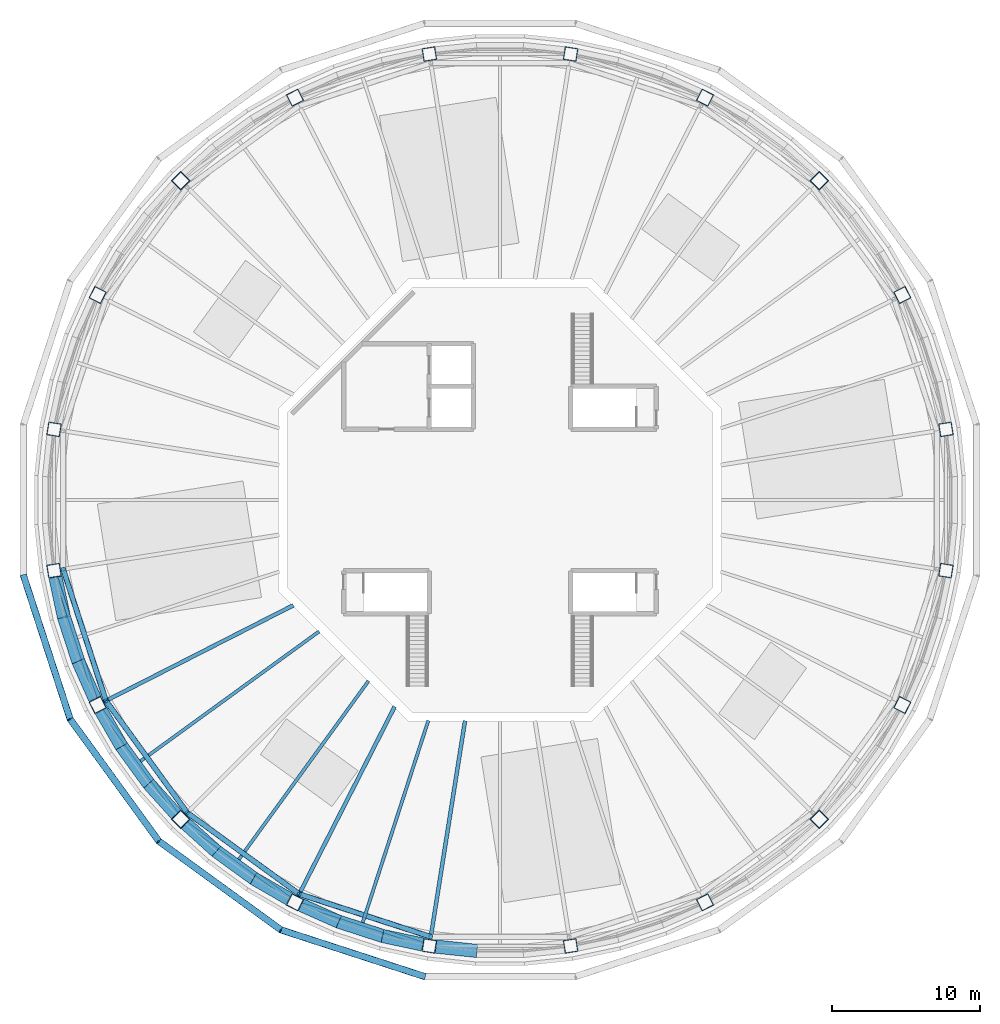
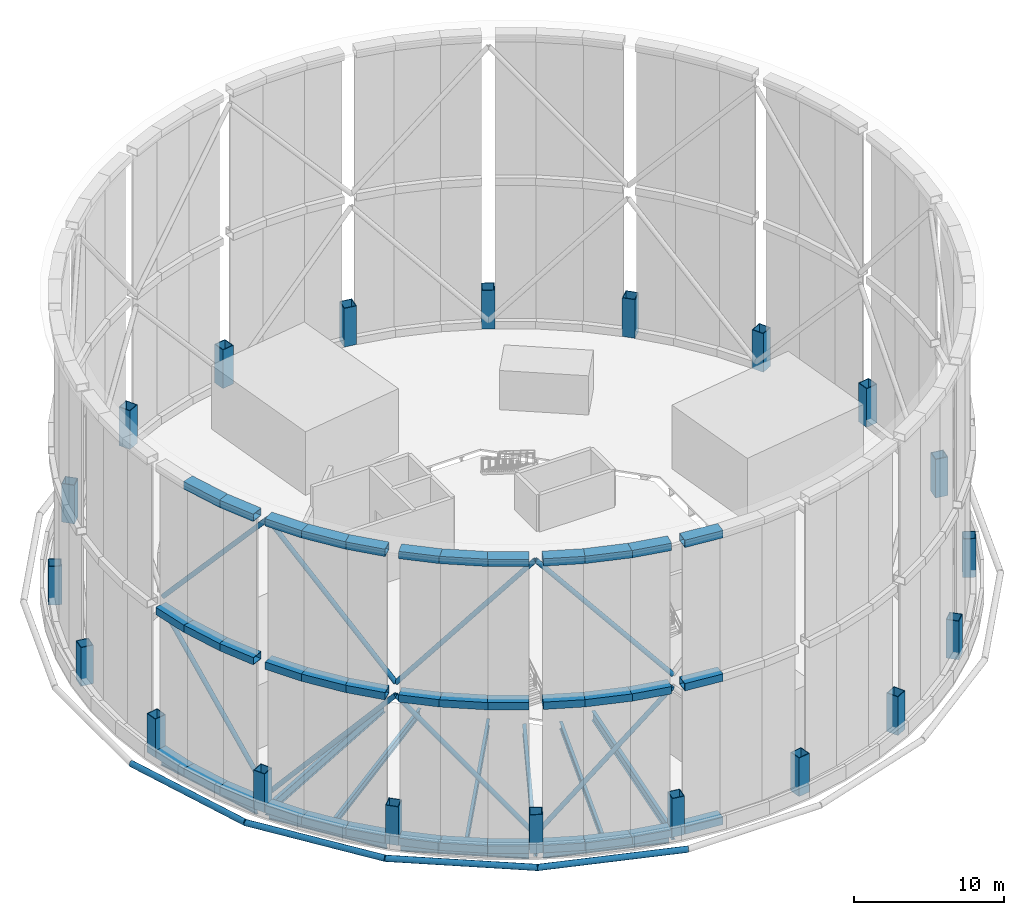
# One storey, part 1 of 11: 48 beams, 20 columns, 12 members.
"""IFC4 building model written with IfcOpenShell, lengths in metres."""

from ifc_helpers import new_model, si_unit, direction, frame, origin, origin_2d, place, context, subcontext, project, spatial, hollow_rectangle, circle, hollow_circle, i_section, extrude, material, material_profile, profile_set, type_object, element, save


model = new_model("IFC4")

# Units and contexts
model_context = context("Model", 3, precision=1e-05, world=origin(), true_north=direction((0.0, 1.0)))
body_context = subcontext(model_context, "Body", "Model", "MODEL_VIEW")
ifc_project = project(units=[si_unit("LENGTHUNIT", "METRE"), si_unit("AREAUNIT", "SQUARE_METRE"), si_unit("VOLUMEUNIT", "CUBIC_METRE"), si_unit("PLANEANGLEUNIT", "RADIAN"), si_unit("MASSUNIT", "GRAM", prefix="KILO")], contexts=[model_context])

# Site, building, storey
site_placement = place(None, origin())
site = spatial("IfcSite", under=ifc_project, at=site_placement, CompositionType="ELEMENT")
building_placement = place(site_placement, origin())
building = spatial("IfcBuilding", under=site, at=building_placement, Name="Entoto Ring Tower", CompositionType="ELEMENT")
storey_placement = place(building_placement, frame((0.0, 0.0, 415.0)))
storey = spatial("IfcBuildingStorey", under=building, at=storey_placement, Name="ROOF", CompositionType="ELEMENT", Elevation=415.0)

# Columns
ifc_material_1 = material(Name="Steel S355", Category="steel")
ifc_material_profile_1 = material_profile(ifc_material_1, hollow_rectangle(XDim=0.89990234375, YDim=0.89990234375, WallThickness=0.050048828125, at=origin_2d()), Name="Crown frame post 900 x 900 x 50 mm")
ifc_profile_set_1 = profile_set([ifc_material_profile_1], Name="Steel S355")
column_type = type_object("IfcColumnType", Name="Crown frame post 900 x 900 x 50 mm", PredefinedType="COLUMN", material=ifc_profile_set_1)
for number, where, z_axis, x_axis, name in (
    (1, (120.22314453125, 84.786865234375, 0.0), (0.0, 0.0, 1.0), (-0.15643446504, 0.987688340595, 0.0), "CROWN FRAME POST 01"),
    (2, (117.264892578125, 93.89208984375, 0.0), (0.0, 0.0, 1.0), (-0.45399049974, 0.891006524188, 0.0), "CROWN FRAME POST 02"),
    (3, (111.637451171875, 101.637451171875, 0.0), (0.0, 0.0, 1.0), (-0.707106781187, 0.707106781187, 0.0), "CROWN FRAME POST 03"),
    (4, (103.89208984375, 107.264892578125, 0.0), (0.0, 0.0, 1.0), (-0.891006524188, 0.45399049974, 0.0), "CROWN FRAME POST 04"),
    (5, (94.786865234375, 110.22314453125, 0.0), (0.0, 0.0, 1.0), (-0.987688340595, 0.15643446504, 0.0), "CROWN FRAME POST 05"),
    (6, (85.213134765625, 110.22314453125, 0.0), (0.0, 0.0, 1.0), (-0.987688340595, -0.15643446504, 0.0), "CROWN FRAME POST 06"),
    (7, (76.10791015625, 107.264892578125, 0.0), (0.0, 0.0, 1.0), (-0.891006524188, -0.45399049974, 0.0), "CROWN FRAME POST 07"),
    (8, (68.362548828125, 101.637451171875, 0.0), (0.0, 0.0, 1.0), (-0.707106781187, -0.707106781187, 0.0), "CROWN FRAME POST 08"),
    (9, (62.735107421875, 93.89208984375, 0.0), (0.0, 0.0, 1.0), (-0.45399049974, -0.891006524188, 0.0), "CROWN FRAME POST 09"),
    (10, (59.77685546875, 84.786865234375, 0.0), (0.0, 0.0, 1.0), (-0.15643446504, -0.987688340595, 0.0), "CROWN FRAME POST 10"),
    (11, (59.77685546875, 75.213134765625, 0.0), (0.0, 0.0, 1.0), (0.15643446504, -0.987688340595, 0.0), "CROWN FRAME POST 11"),
    (12, (62.735107421875, 66.10791015625, 0.0), (0.0, 0.0, 1.0), (0.45399049974, -0.891006524188, 0.0), "CROWN FRAME POST 12"),
    (13, (68.362548828125, 58.362548828125, 0.0), (0.0, 0.0, 1.0), (0.707106781187, -0.707106781187, 0.0), "CROWN FRAME POST 13"),
    (14, (76.10791015625, 52.735107421875, 0.0), (0.0, 0.0, 1.0), (0.891006524188, -0.45399049974, 0.0), "CROWN FRAME POST 14"),
    (15, (85.213134765625, 49.77685546875, 0.0), (0.0, 0.0, 1.0), (0.987688340595, -0.15643446504, 0.0), "CROWN FRAME POST 15"),
    (16, (94.786865234375, 49.77685546875, 0.0), (0.0, 0.0, 1.0), (0.987688340595, 0.15643446504, 0.0), "CROWN FRAME POST 16"),
    (17, (103.89208984375, 52.735107421875, 0.0), (0.0, 0.0, 1.0), (0.891006524188, 0.45399049974, 0.0), "CROWN FRAME POST 17"),
    (18, (111.637451171875, 58.362548828125, 0.0), (0.0, 0.0, 1.0), (0.707106781187, 0.707106781187, 0.0), "CROWN FRAME POST 18"),
    (19, (117.264892578125, 66.10791015625, 0.0), (0.0, 0.0, 1.0), (0.45399049974, 0.891006524188, 0.0), "CROWN FRAME POST 19"),
    (20, (120.22314453125, 75.213134765625, 0.0), (0.0, 0.0, 1.0), (0.15643446504, 0.987688340595, 0.0), "CROWN FRAME POST 20"),
):
    element("IfcColumn", number, at=place(storey_placement, frame(where, z_axis=z_axis, x_axis=x_axis)), inside=storey, type_object=column_type, Name=name, PredefinedType="COLUMN", context=body_context, shape_type="SweptSolid", body=[
        extrude(hollow_rectangle(XDim=0.89990234375, YDim=0.89990234375, WallThickness=0.050048828125, at=origin_2d()), origin(), (0.0, 0.0, 1.0), 3.14990234375),
    ])

# Members
ifc_material_2 = material(Name="Steel S355", Category="steel")
ifc_material_profile_2 = material_profile(ifc_material_2, hollow_circle(Radius=0.177490234375, WallThickness=0.01611328125, at=origin_2d()), Name="Crown frame brace 355.6 x 16 mm tube")
ifc_profile_set_2 = profile_set([ifc_material_profile_2], Name="Steel S355")
member_type_1 = type_object("IfcMemberType", Name="Crown frame brace 355.6 x 16 mm tube", PredefinedType="BRACE", material=ifc_profile_set_2)
member_1_placement = place(storey_placement, frame((60.39404296875, 75.310791015625, 11.5), z_axis=(0.203677789835, -0.626871162261, -0.752029190825), x_axis=(0.951058744681, 0.309010136024, 0.0)))
element("IfcMember", 21, at=member_1_placement, inside=storey, type_object=member_type_1, Name="CROWN FRAME BRACE 1-11", PredefinedType="BRACE", context=body_context, shape_type="SweptSolid", body=[
    extrude(hollow_circle(Radius=0.177490234375, WallThickness=0.01611328125, at=origin_2d()), origin(), (0.0, 0.0, 1.0), 14.22802734375),
])
for number, where, z_axis, x_axis, name in (
    (22, (63.2919921875, 66.3916015625, 0.800048828125), (0.387431986141, -0.533248763598, 0.752025406643), (0.809014049878, 0.587789305023, 0.0), "CROWN FRAME BRACE 1-12"),
    (23, (68.804443359375, 58.804443359375, 11.5), (0.533248763598, -0.387431986141, -0.752025406643), (0.587789305023, 0.809014049878, 0.0), "CROWN FRAME BRACE 1-13"),
):
    element("IfcMember", number, at=place(storey_placement, frame(where, z_axis=z_axis, x_axis=x_axis)), inside=storey, type_object=member_type_1, Name=name, PredefinedType="BRACE", context=body_context, shape_type="SweptSolid", body=[
        extrude(hollow_circle(Radius=0.177490234375, WallThickness=0.01611328125, at=origin_2d()), origin(), (0.0, 0.0, 1.0), 14.228271484375),
    ])
for number, where, z_axis, x_axis, name in (
    (24, (76.3916015625, 53.2919921875, 0.800048828125), (0.626871162261, -0.203677789835, 0.752029190825), (0.309010136024, 0.951058744681, 0.0), "CROWN FRAME BRACE 1-14"),
    (25, (60.39404296875, 75.310791015625, 12.5), (0.203677789835, -0.626871162261, 0.752029190825), (0.951058744681, 0.309010136024, 0.0), "CROWN FRAME BRACE 2-11"),
):
    element("IfcMember", number, at=place(storey_placement, frame(where, z_axis=z_axis, x_axis=x_axis)), inside=storey, type_object=member_type_1, Name=name, PredefinedType="BRACE", context=body_context, shape_type="SweptSolid", body=[
        extrude(hollow_circle(Radius=0.177490234375, WallThickness=0.01611328125, at=origin_2d()), origin(), (0.0, 0.0, 1.0), 14.22802734375),
    ])
for number, where, z_axis, x_axis, name in (
    (26, (63.2919921875, 66.3916015625, 23.199951171875), (0.387431986141, -0.533248763598, -0.752025406643), (0.809014049878, 0.587789305023, 0.0), "CROWN FRAME BRACE 2-12"),
    (27, (68.804443359375, 58.804443359375, 12.5), (0.533248763598, -0.387431986141, 0.752025406643), (0.587789305023, 0.809014049878, 0.0), "CROWN FRAME BRACE 2-13"),
):
    element("IfcMember", number, at=place(storey_placement, frame(where, z_axis=z_axis, x_axis=x_axis)), inside=storey, type_object=member_type_1, Name=name, PredefinedType="BRACE", context=body_context, shape_type="SweptSolid", body=[
        extrude(hollow_circle(Radius=0.177490234375, WallThickness=0.01611328125, at=origin_2d()), origin(), (0.0, 0.0, 1.0), 14.228271484375),
    ])
member_2_placement = place(storey_placement, frame((76.3916015625, 53.2919921875, 23.199951171875), z_axis=(0.626871162261, -0.203677789835, -0.752029190825), x_axis=(0.309010136024, 0.951058744681, 0.0)))
element("IfcMember", 28, at=member_2_placement, inside=storey, type_object=member_type_1, Name="CROWN FRAME BRACE 2-14", PredefinedType="BRACE", context=body_context, shape_type="SweptSolid", body=[
    extrude(hollow_circle(Radius=0.177490234375, WallThickness=0.01611328125, at=origin_2d()), origin(), (0.0, 0.0, 1.0), 14.22802734375),
])

# Beams
ifc_material_3 = material(Name="Steel S355", Category="steel")
ifc_material_profile_3 = material_profile(ifc_material_3, hollow_rectangle(XDim=0.89990234375, YDim=0.60009765625, WallThickness=0.0400390625, at=origin_2d()), Name="Crown frame ring beam 900 x 600 x 40 mm")
ifc_profile_set_3 = profile_set([ifc_material_profile_3], Name="Steel S355")
beam_type_1 = type_object("IfcBeamType", Name="Crown frame ring beam 900 x 600 x 40 mm", PredefinedType="BEAM", material=ifc_profile_set_3)
beam_1_placement = place(storey_placement, frame((59.870361328125, 74.77294921875, 0.300048828125), z_axis=(0.207871285632, -0.978156188249, 0.0), x_axis=(0.978156188249, 0.207871285632, 0.0)))
element("IfcBeam", 29, at=beam_1_placement, inside=storey, type_object=beam_type_1, Name="CROWN FRAME BOTTOM RING 30", PredefinedType="BEAM", context=body_context, shape_type="SweptSolid", body=[
    extrude(hollow_rectangle(XDim=0.89990234375, YDim=0.60009765625, WallThickness=0.0400390625, at=origin_2d()), origin(), (0.0, 0.0, 1.0), 2.79638671875),
])
beam_2_placement = place(storey_placement, frame((60.42919921875, 72.12158203125, 0.300048828125), z_axis=(0.308983720778, -0.951067326899, 0.0), x_axis=(0.951067326899, 0.308983720778, 0.0)))
element("IfcBeam", 30, at=beam_2_placement, inside=storey, type_object=beam_type_1, Name="CROWN FRAME BOTTOM RING 31", PredefinedType="BEAM", context=body_context, shape_type="SweptSolid", body=[
    extrude(hollow_rectangle(XDim=0.89990234375, YDim=0.60009765625, WallThickness=0.0400390625, at=origin_2d()), origin(), (0.0, 0.0, 1.0), 3.2900390625),
])
for number, where, z_axis, x_axis, name in (
    (31, (61.414794921875, 69.07373046875, 0.300048828125), (0.406745899001, -0.913541336583, 0.0), (0.913541336583, 0.406745899001, 0.0), "CROWN FRAME BOTTOM RING 32"),
    (32, (62.960205078125, 65.71826171875, 0.300048828125), (0.49997939631, -0.866037299004, 0.0), (0.866037299004, 0.49997939631, 0.0), "CROWN FRAME BOTTOM RING 33"),
):
    element("IfcBeam", number, at=place(storey_placement, frame(where, z_axis=z_axis, x_axis=x_axis)), inside=storey, type_object=beam_type_1, Name=name, PredefinedType="BEAM", context=body_context, shape_type="SweptSolid", body=[
        extrude(hollow_rectangle(XDim=0.89990234375, YDim=0.60009765625, WallThickness=0.0400390625, at=origin_2d()), origin(), (0.0, 0.0, 1.0), 2.79638671875),
    ])
beam_3_placement = place(storey_placement, frame((64.31103515625, 63.369384765625, 0.300048828125), z_axis=(0.5877612999, -0.809034396265, 0.0), x_axis=(0.809034396265, 0.5877612999, 0.0)))
element("IfcBeam", 33, at=beam_3_placement, inside=storey, type_object=beam_type_1, Name="CROWN FRAME BOTTOM RING 34", PredefinedType="BEAM", context=body_context, shape_type="SweptSolid", body=[
    extrude(hollow_rectangle(XDim=0.89990234375, YDim=0.60009765625, WallThickness=0.0400390625, at=origin_2d()), origin(), (0.0, 0.0, 1.0), 3.290283203125),
])
for number, where, z_axis, x_axis, name in (
    (34, (66.190185546875, 60.775146484375, 0.300048828125), (0.669167285234, -0.743111798031, 0.0), (0.743111798031, 0.669167285234, 0.0), "CROWN FRAME BOTTOM RING 35"),
    (35, (68.697021484375, 58.0615234375, 0.300048828125), (0.743111798031, -0.669167285234, 0.0), (0.669167285234, 0.743111798031, 0.0), "CROWN FRAME BOTTOM RING 36"),
):
    element("IfcBeam", number, at=place(storey_placement, frame(where, z_axis=z_axis, x_axis=x_axis)), inside=storey, type_object=beam_type_1, Name=name, PredefinedType="BEAM", context=body_context, shape_type="SweptSolid", body=[
        extrude(hollow_rectangle(XDim=0.89990234375, YDim=0.60009765625, WallThickness=0.0400390625, at=origin_2d()), origin(), (0.0, 0.0, 1.0), 2.796630859375),
    ])
beam_4_placement = place(storey_placement, frame((70.70751953125, 56.244873046875, 0.300048828125), z_axis=(0.809034396265, -0.5877612999, 0.0), x_axis=(0.5877612999, 0.809034396265, 0.0)))
element("IfcBeam", 36, at=beam_4_placement, inside=storey, type_object=beam_type_1, Name="CROWN FRAME BOTTOM RING 37", PredefinedType="BEAM", context=body_context, shape_type="SweptSolid", body=[
    extrude(hollow_rectangle(XDim=0.89990234375, YDim=0.60009765625, WallThickness=0.0400390625, at=origin_2d()), origin(), (0.0, 0.0, 1.0), 3.290283203125),
])
for number, where, z_axis, x_axis, name in (
    (37, (73.29638671875, 54.3583984375, 0.300048828125), (0.866037299004, -0.49997939631, 0.0), (0.49997939631, 0.866037299004, 0.0), "CROWN FRAME BOTTOM RING 38"),
    (38, (76.51904296875, 52.55224609375, 0.300048828125), (0.913541336583, -0.406745899001, 0.0), (0.406745899001, 0.913541336583, 0.0), "CROWN FRAME BOTTOM RING 39"),
):
    element("IfcBeam", number, at=place(storey_placement, frame(where, z_axis=z_axis, x_axis=x_axis)), inside=storey, type_object=beam_type_1, Name=name, PredefinedType="BEAM", context=body_context, shape_type="SweptSolid", body=[
        extrude(hollow_rectangle(XDim=0.89990234375, YDim=0.60009765625, WallThickness=0.0400390625, at=origin_2d()), origin(), (0.0, 0.0, 1.0), 2.79638671875),
    ])
beam_5_placement = place(storey_placement, frame((78.992431640625, 51.44580078125, 0.300048828125), z_axis=(0.951067326899, -0.308983720778, 0.0), x_axis=(0.308983720778, 0.951067326899, 0.0)))
element("IfcBeam", 39, at=beam_5_placement, inside=storey, type_object=beam_type_1, Name="CROWN FRAME BOTTOM RING 40", PredefinedType="BEAM", context=body_context, shape_type="SweptSolid", body=[
    extrude(hollow_rectangle(XDim=0.89990234375, YDim=0.60009765625, WallThickness=0.0400390625, at=origin_2d()), origin(), (0.0, 0.0, 1.0), 3.2900390625),
])
beam_6_placement = place(storey_placement, frame((82.03759765625, 50.45166015625, 0.300048828125), z_axis=(0.978156188249, -0.207871285632, 0.0), x_axis=(0.207871285632, 0.978156188249, 0.0)))
element("IfcBeam", 40, at=beam_6_placement, inside=storey, type_object=beam_type_1, Name="CROWN FRAME BOTTOM RING 41", PredefinedType="BEAM", context=body_context, shape_type="SweptSolid", body=[
    extrude(hollow_rectangle(XDim=0.89990234375, YDim=0.60009765625, WallThickness=0.0400390625, at=origin_2d()), origin(), (0.0, 0.0, 1.0), 2.79638671875),
])
beam_7_placement = place(storey_placement, frame((85.66064453125, 49.729736328125, 0.300048828125), z_axis=(0.994525048139, -0.104498462309, 0.0), x_axis=(0.104498462309, 0.994525048139, 0.0)))
element("IfcBeam", 41, at=beam_7_placement, inside=storey, type_object=beam_type_1, Name="CROWN FRAME BOTTOM RING 42", PredefinedType="BEAM", context=body_context, shape_type="SweptSolid", body=[
    extrude(hollow_rectangle(XDim=0.89990234375, YDim=0.60009765625, WallThickness=0.0400390625, at=origin_2d()), origin(), (0.0, 0.0, 1.0), 2.796630859375),
])
beam_8_placement = place(storey_placement, frame((59.870361328125, 74.77294921875, 12.0), z_axis=(0.207871285632, -0.978156188249, 0.0), x_axis=(0.978156188249, 0.207871285632, 0.0)))
element("IfcBeam", 42, at=beam_8_placement, inside=storey, type_object=beam_type_1, Name="CROWN FRAME MIDDLE RING 30", PredefinedType="BEAM", context=body_context, shape_type="SweptSolid", body=[
    extrude(hollow_rectangle(XDim=0.89990234375, YDim=0.60009765625, WallThickness=0.0400390625, at=origin_2d()), origin(), (0.0, 0.0, 1.0), 2.79638671875),
])
beam_9_placement = place(storey_placement, frame((60.42919921875, 72.12158203125, 12.0), z_axis=(0.308983720778, -0.951067326899, 0.0), x_axis=(0.951067326899, 0.308983720778, 0.0)))
element("IfcBeam", 43, at=beam_9_placement, inside=storey, type_object=beam_type_1, Name="CROWN FRAME MIDDLE RING 31", PredefinedType="BEAM", context=body_context, shape_type="SweptSolid", body=[
    extrude(hollow_rectangle(XDim=0.89990234375, YDim=0.60009765625, WallThickness=0.0400390625, at=origin_2d()), origin(), (0.0, 0.0, 1.0), 3.2900390625),
])
for number, where, z_axis, x_axis, name in (
    (44, (61.414794921875, 69.07373046875, 12.0), (0.406745899001, -0.913541336583, 0.0), (0.913541336583, 0.406745899001, 0.0), "CROWN FRAME MIDDLE RING 32"),
    (45, (62.960205078125, 65.71826171875, 12.0), (0.49997939631, -0.866037299004, 0.0), (0.866037299004, 0.49997939631, 0.0), "CROWN FRAME MIDDLE RING 33"),
):
    element("IfcBeam", number, at=place(storey_placement, frame(where, z_axis=z_axis, x_axis=x_axis)), inside=storey, type_object=beam_type_1, Name=name, PredefinedType="BEAM", context=body_context, shape_type="SweptSolid", body=[
        extrude(hollow_rectangle(XDim=0.89990234375, YDim=0.60009765625, WallThickness=0.0400390625, at=origin_2d()), origin(), (0.0, 0.0, 1.0), 2.79638671875),
    ])
beam_10_placement = place(storey_placement, frame((64.31103515625, 63.369384765625, 12.0), z_axis=(0.5877612999, -0.809034396265, 0.0), x_axis=(0.809034396265, 0.5877612999, 0.0)))
element("IfcBeam", 46, at=beam_10_placement, inside=storey, type_object=beam_type_1, Name="CROWN FRAME MIDDLE RING 34", PredefinedType="BEAM", context=body_context, shape_type="SweptSolid", body=[
    extrude(hollow_rectangle(XDim=0.89990234375, YDim=0.60009765625, WallThickness=0.0400390625, at=origin_2d()), origin(), (0.0, 0.0, 1.0), 3.290283203125),
])
for number, where, z_axis, x_axis, name in (
    (47, (66.190185546875, 60.775146484375, 12.0), (0.669167285234, -0.743111798031, 0.0), (0.743111798031, 0.669167285234, 0.0), "CROWN FRAME MIDDLE RING 35"),
    (48, (68.697021484375, 58.0615234375, 12.0), (0.743111798031, -0.669167285234, 0.0), (0.669167285234, 0.743111798031, 0.0), "CROWN FRAME MIDDLE RING 36"),
):
    element("IfcBeam", number, at=place(storey_placement, frame(where, z_axis=z_axis, x_axis=x_axis)), inside=storey, type_object=beam_type_1, Name=name, PredefinedType="BEAM", context=body_context, shape_type="SweptSolid", body=[
        extrude(hollow_rectangle(XDim=0.89990234375, YDim=0.60009765625, WallThickness=0.0400390625, at=origin_2d()), origin(), (0.0, 0.0, 1.0), 2.796630859375),
    ])
beam_11_placement = place(storey_placement, frame((70.70751953125, 56.244873046875, 12.0), z_axis=(0.809034396265, -0.5877612999, 0.0), x_axis=(0.5877612999, 0.809034396265, 0.0)))
element("IfcBeam", 49, at=beam_11_placement, inside=storey, type_object=beam_type_1, Name="CROWN FRAME MIDDLE RING 37", PredefinedType="BEAM", context=body_context, shape_type="SweptSolid", body=[
    extrude(hollow_rectangle(XDim=0.89990234375, YDim=0.60009765625, WallThickness=0.0400390625, at=origin_2d()), origin(), (0.0, 0.0, 1.0), 3.290283203125),
])
for number, where, z_axis, x_axis, name in (
    (50, (73.29638671875, 54.3583984375, 12.0), (0.866037299004, -0.49997939631, 0.0), (0.49997939631, 0.866037299004, 0.0), "CROWN FRAME MIDDLE RING 38"),
    (51, (76.51904296875, 52.55224609375, 12.0), (0.913541336583, -0.406745899001, 0.0), (0.406745899001, 0.913541336583, 0.0), "CROWN FRAME MIDDLE RING 39"),
):
    element("IfcBeam", number, at=place(storey_placement, frame(where, z_axis=z_axis, x_axis=x_axis)), inside=storey, type_object=beam_type_1, Name=name, PredefinedType="BEAM", context=body_context, shape_type="SweptSolid", body=[
        extrude(hollow_rectangle(XDim=0.89990234375, YDim=0.60009765625, WallThickness=0.0400390625, at=origin_2d()), origin(), (0.0, 0.0, 1.0), 2.79638671875),
    ])
beam_12_placement = place(storey_placement, frame((78.992431640625, 51.44580078125, 12.0), z_axis=(0.951067326899, -0.308983720778, 0.0), x_axis=(0.308983720778, 0.951067326899, 0.0)))
element("IfcBeam", 52, at=beam_12_placement, inside=storey, type_object=beam_type_1, Name="CROWN FRAME MIDDLE RING 40", PredefinedType="BEAM", context=body_context, shape_type="SweptSolid", body=[
    extrude(hollow_rectangle(XDim=0.89990234375, YDim=0.60009765625, WallThickness=0.0400390625, at=origin_2d()), origin(), (0.0, 0.0, 1.0), 3.2900390625),
])
beam_13_placement = place(storey_placement, frame((82.03759765625, 50.45166015625, 12.0), z_axis=(0.978156188249, -0.207871285632, 0.0), x_axis=(0.207871285632, 0.978156188249, 0.0)))
element("IfcBeam", 53, at=beam_13_placement, inside=storey, type_object=beam_type_1, Name="CROWN FRAME MIDDLE RING 41", PredefinedType="BEAM", context=body_context, shape_type="SweptSolid", body=[
    extrude(hollow_rectangle(XDim=0.89990234375, YDim=0.60009765625, WallThickness=0.0400390625, at=origin_2d()), origin(), (0.0, 0.0, 1.0), 2.79638671875),
])
beam_14_placement = place(storey_placement, frame((85.66064453125, 49.729736328125, 12.0), z_axis=(0.994525048139, -0.104498462309, 0.0), x_axis=(0.104498462309, 0.994525048139, 0.0)))
element("IfcBeam", 54, at=beam_14_placement, inside=storey, type_object=beam_type_1, Name="CROWN FRAME MIDDLE RING 42", PredefinedType="BEAM", context=body_context, shape_type="SweptSolid", body=[
    extrude(hollow_rectangle(XDim=0.89990234375, YDim=0.60009765625, WallThickness=0.0400390625, at=origin_2d()), origin(), (0.0, 0.0, 1.0), 2.796630859375),
])
beam_15_placement = place(storey_placement, frame((60.42919921875, 72.12158203125, 23.699951171875), z_axis=(0.308983720778, -0.951067326899, 0.0), x_axis=(0.951067326899, 0.308983720778, 0.0)))
element("IfcBeam", 55, at=beam_15_placement, inside=storey, type_object=beam_type_1, Name="CROWN FRAME TOP RING 31", PredefinedType="BEAM", context=body_context, shape_type="SweptSolid", body=[
    extrude(hollow_rectangle(XDim=0.89990234375, YDim=0.60009765625, WallThickness=0.0400390625, at=origin_2d()), origin(), (0.0, 0.0, 1.0), 3.2900390625),
])
for number, where, z_axis, x_axis, name in (
    (56, (61.414794921875, 69.07373046875, 23.699951171875), (0.406745899001, -0.913541336583, 0.0), (0.913541336583, 0.406745899001, 0.0), "CROWN FRAME TOP RING 32"),
    (57, (62.960205078125, 65.71826171875, 23.699951171875), (0.49997939631, -0.866037299004, 0.0), (0.866037299004, 0.49997939631, 0.0), "CROWN FRAME TOP RING 33"),
):
    element("IfcBeam", number, at=place(storey_placement, frame(where, z_axis=z_axis, x_axis=x_axis)), inside=storey, type_object=beam_type_1, Name=name, PredefinedType="BEAM", context=body_context, shape_type="SweptSolid", body=[
        extrude(hollow_rectangle(XDim=0.89990234375, YDim=0.60009765625, WallThickness=0.0400390625, at=origin_2d()), origin(), (0.0, 0.0, 1.0), 2.79638671875),
    ])
beam_16_placement = place(storey_placement, frame((64.31103515625, 63.369384765625, 23.699951171875), z_axis=(0.5877612999, -0.809034396265, 0.0), x_axis=(0.809034396265, 0.5877612999, 0.0)))
element("IfcBeam", 58, at=beam_16_placement, inside=storey, type_object=beam_type_1, Name="CROWN FRAME TOP RING 34", PredefinedType="BEAM", context=body_context, shape_type="SweptSolid", body=[
    extrude(hollow_rectangle(XDim=0.89990234375, YDim=0.60009765625, WallThickness=0.0400390625, at=origin_2d()), origin(), (0.0, 0.0, 1.0), 3.290283203125),
])
for number, where, z_axis, x_axis, name in (
    (59, (66.190185546875, 60.775146484375, 23.699951171875), (0.669167285234, -0.743111798031, 0.0), (0.743111798031, 0.669167285234, 0.0), "CROWN FRAME TOP RING 35"),
    (60, (68.697021484375, 58.0615234375, 23.699951171875), (0.743111798031, -0.669167285234, 0.0), (0.669167285234, 0.743111798031, 0.0), "CROWN FRAME TOP RING 36"),
):
    element("IfcBeam", number, at=place(storey_placement, frame(where, z_axis=z_axis, x_axis=x_axis)), inside=storey, type_object=beam_type_1, Name=name, PredefinedType="BEAM", context=body_context, shape_type="SweptSolid", body=[
        extrude(hollow_rectangle(XDim=0.89990234375, YDim=0.60009765625, WallThickness=0.0400390625, at=origin_2d()), origin(), (0.0, 0.0, 1.0), 2.796630859375),
    ])
beam_17_placement = place(storey_placement, frame((70.70751953125, 56.244873046875, 23.699951171875), z_axis=(0.809034396265, -0.5877612999, 0.0), x_axis=(0.5877612999, 0.809034396265, 0.0)))
element("IfcBeam", 61, at=beam_17_placement, inside=storey, type_object=beam_type_1, Name="CROWN FRAME TOP RING 37", PredefinedType="BEAM", context=body_context, shape_type="SweptSolid", body=[
    extrude(hollow_rectangle(XDim=0.89990234375, YDim=0.60009765625, WallThickness=0.0400390625, at=origin_2d()), origin(), (0.0, 0.0, 1.0), 3.290283203125),
])
for number, where, z_axis, x_axis, name in (
    (62, (73.29638671875, 54.3583984375, 23.699951171875), (0.866037299004, -0.49997939631, 0.0), (0.49997939631, 0.866037299004, 0.0), "CROWN FRAME TOP RING 38"),
    (63, (76.51904296875, 52.55224609375, 23.699951171875), (0.913541336583, -0.406745899001, 0.0), (0.406745899001, 0.913541336583, 0.0), "CROWN FRAME TOP RING 39"),
):
    element("IfcBeam", number, at=place(storey_placement, frame(where, z_axis=z_axis, x_axis=x_axis)), inside=storey, type_object=beam_type_1, Name=name, PredefinedType="BEAM", context=body_context, shape_type="SweptSolid", body=[
        extrude(hollow_rectangle(XDim=0.89990234375, YDim=0.60009765625, WallThickness=0.0400390625, at=origin_2d()), origin(), (0.0, 0.0, 1.0), 2.79638671875),
    ])
beam_18_placement = place(storey_placement, frame((78.992431640625, 51.44580078125, 23.699951171875), z_axis=(0.951067326899, -0.308983720778, 0.0), x_axis=(0.308983720778, 0.951067326899, 0.0)))
element("IfcBeam", 64, at=beam_18_placement, inside=storey, type_object=beam_type_1, Name="CROWN FRAME TOP RING 40", PredefinedType="BEAM", context=body_context, shape_type="SweptSolid", body=[
    extrude(hollow_rectangle(XDim=0.89990234375, YDim=0.60009765625, WallThickness=0.0400390625, at=origin_2d()), origin(), (0.0, 0.0, 1.0), 3.2900390625),
])
beam_19_placement = place(storey_placement, frame((82.03759765625, 50.45166015625, 23.699951171875), z_axis=(0.978156188249, -0.207871285632, 0.0), x_axis=(0.207871285632, 0.978156188249, 0.0)))
element("IfcBeam", 65, at=beam_19_placement, inside=storey, type_object=beam_type_1, Name="CROWN FRAME TOP RING 41", PredefinedType="BEAM", context=body_context, shape_type="SweptSolid", body=[
    extrude(hollow_rectangle(XDim=0.89990234375, YDim=0.60009765625, WallThickness=0.0400390625, at=origin_2d()), origin(), (0.0, 0.0, 1.0), 2.79638671875),
])
beam_20_placement = place(storey_placement, frame((85.66064453125, 49.729736328125, 23.699951171875), z_axis=(0.994525048139, -0.104498462309, 0.0), x_axis=(0.104498462309, 0.994525048139, 0.0)))
element("IfcBeam", 66, at=beam_20_placement, inside=storey, type_object=beam_type_1, Name="CROWN FRAME TOP RING 42", PredefinedType="BEAM", context=body_context, shape_type="SweptSolid", body=[
    extrude(hollow_rectangle(XDim=0.89990234375, YDim=0.60009765625, WallThickness=0.0400390625, at=origin_2d()), origin(), (0.0, 0.0, 1.0), 2.796630859375),
])

# Members
ifc_material_4 = material(Name="Steel S355", Category="steel")
ifc_material_profile_4 = material_profile(ifc_material_4, hollow_circle(Radius=0.228515625, WallThickness=0.02001953125, at=origin_2d()), Name="CHS 457 x 20")
ifc_material_5 = material(Name="Concrete C60/75", Category="concrete")
ifc_material_profile_5 = material_profile(ifc_material_5, circle(Radius=0.20849609375, at=origin_2d()), Name="Concrete C60/75 infill")
ifc_profile_set_4 = profile_set([ifc_material_profile_4, ifc_material_profile_5], Name="Steel S355")
member_type_2 = type_object("IfcMemberType", Name="Diagrid ring beam 457 x 20", PredefinedType="CHORD", material=ifc_profile_set_4)
member_3_placement = place(storey_placement, frame((57.685302734375, 74.93798828125, 0.0), z_axis=(0.309002809244, -0.951061125206, 0.0), x_axis=(0.951061125206, 0.309002809244, 0.0)))
element("IfcMember", 67, at=member_3_placement, inside=storey, type_object=member_type_2, Name="DR3 ring 30 11", PredefinedType="CHORD", context=body_context, shape_type="SweptSolid", body=[
    extrude(hollow_circle(Radius=0.228515625, WallThickness=0.02001953125, at=origin_2d()), origin(), (0.0, 0.0, 1.0), 10.343017578125),
])
for number, where, z_axis, x_axis, name in (
    (68, (60.8310546875, 65.199951171875, 0.0), (0.587781465034, -0.809019745966, 0.0), (0.809019745966, 0.587781465034, 0.0), "DR3 ring 30 12"),
    (69, (66.83203125, 56.91064453125, 0.0), (0.809019745966, -0.587781465034, 0.0), (0.587781465034, 0.809019745966, 0.0), "DR3 ring 30 13"),
):
    element("IfcMember", number, at=place(storey_placement, frame(where, z_axis=z_axis, x_axis=x_axis)), inside=storey, type_object=member_type_2, Name=name, PredefinedType="CHORD", context=body_context, shape_type="SweptSolid", body=[
        extrude(hollow_circle(Radius=0.228515625, WallThickness=0.02001953125, at=origin_2d()), origin(), (0.0, 0.0, 1.0), 10.34326171875),
    ])
member_4_placement = place(storey_placement, frame((75.10107421875, 50.88134765625, 0.0), z_axis=(0.951061125206, -0.309002809244, 0.0), x_axis=(0.309002809244, 0.951061125206, 0.0)))
element("IfcMember", 70, at=member_4_placement, inside=storey, type_object=member_type_2, Name="DR3 ring 30 14", PredefinedType="CHORD", context=body_context, shape_type="SweptSolid", body=[
    extrude(hollow_circle(Radius=0.228515625, WallThickness=0.02001953125, at=origin_2d()), origin(), (0.0, 0.0, 1.0), 10.343017578125),
])

# Beams
ifc_material_6 = material(Name="Steel S355", Category="steel")
ifc_material_profile_6 = material_profile(ifc_material_6, i_section(OverallWidth=0.219970703125, OverallDepth=0.60009765625, WebThickness=0.011962890625, FlangeThickness=0.01904296875, FilletRadius=0.02392578125, at=origin_2d()), Name="IPE 600")
ifc_profile_set_5 = profile_set([ifc_material_profile_6], Name="Steel S355")
beam_type_2 = type_object("IfcBeamType", Name="Edge beam IPE 600", PredefinedType="SPANDREL", material=ifc_profile_set_5)
for number, where, z_axis, x_axis, name in (
    (71, (59.921142578125, 74.768310546875, -0.449951171875), (0.309020248661, -0.951055458907, 0.0), (0.951055458907, 0.309020248661, 0.0), "Edge beam ROOF 11"),
    (72, (63.010009765625, 65.7294921875, -0.449951171875), (0.587798573208, -0.809007315996, 0.0), (0.809007315996, 0.587798573208, 0.0), "Edge beam ROOF 12"),
    (73, (68.740966796875, 58.087646484375, -0.449951171875), (0.809007315996, -0.587798573208, 0.0), (0.587798573208, 0.809007315996, 0.0), "Edge beam ROOF 13"),
    (74, (76.552734375, 52.590576171875, -0.449951171875), (0.951055458907, -0.309020248661, 0.0), (0.309020248661, 0.951055458907, 0.0), "Edge beam ROOF 14"),
):
    element("IfcBeam", number, at=place(storey_placement, frame(where, z_axis=z_axis, x_axis=x_axis)), inside=storey, type_object=beam_type_2, Name=name, PredefinedType="SPANDREL", context=body_context, shape_type="SweptSolid", body=[
        extrude(i_section(OverallWidth=0.219970703125, OverallDepth=0.60009765625, WebThickness=0.011962890625, FlangeThickness=0.01904296875, FilletRadius=0.02392578125, at=origin_2d()), origin(), (0.0, 0.0, 1.0), 8.638427734375),
    ])
ifc_material_7 = material(Name="Steel S355", Category="steel")
ifc_material_profile_7 = material_profile(ifc_material_7, i_section(OverallWidth=0.262939453125, OverallDepth=0.7529296875, WebThickness=0.011474609375, FlangeThickness=0.01708984375, FilletRadius=0.01708984375, at=origin_2d()), Name="IPE 750 x 137")
ifc_profile_set_6 = profile_set([ifc_material_profile_7], Name="Steel S355")
beam_type_3 = type_object("IfcBeamType", Name="Primary floor beam IPE 750 x 137", PredefinedType="BEAM", material=ifc_profile_set_6)
for number, where, z_axis, x_axis, name in (
    (75, (76.0029296875, 72.8681640625, -0.526611328125), (-0.891007082672, -0.453989403652, 0.0), (0.453989403652, -0.891007082672, 0.0), "Primary ROOF R12"),
    (76, (82.8681640625, 66.0029296875, -0.526611328125), (-0.453989403652, -0.891007082672, 0.0), (0.891007082672, -0.453989403652, 0.0), "Primary ROOF R14"),
):
    element("IfcBeam", number, at=place(storey_placement, frame(where, z_axis=z_axis, x_axis=x_axis)), inside=storey, type_object=beam_type_3, Name=name, PredefinedType="BEAM", context=body_context, shape_type="SweptSolid", body=[
        extrude(i_section(OverallWidth=0.262939453125, OverallDepth=0.7529296875, WebThickness=0.011474609375, FlangeThickness=0.01708984375, FilletRadius=0.01708984375, at=origin_2d()), origin(), (0.0, 0.0, 1.0), 14.42822265625),
    ])
beam_21_placement = place(storey_placement, frame((87.630615234375, 65.040283203125, -0.526611328125), z_axis=(-0.156436722214, -0.987687983091, 0.0), x_axis=(0.987687983091, -0.156436722214, 0.0)))
element("IfcBeam", 77, at=beam_21_placement, inside=storey, type_object=beam_type_3, Name="Primary ROOF R15", PredefinedType="BEAM", context=body_context, shape_type="SweptSolid", body=[
    extrude(i_section(OverallWidth=0.262939453125, OverallDepth=0.7529296875, WebThickness=0.011474609375, FlangeThickness=0.01708984375, FilletRadius=0.01708984375, at=origin_2d()), origin(), (0.0, 0.0, 1.0), 14.991455078125),
])
ifc_material_8 = material(Name="Steel S355", Category="steel")
ifc_material_profile_8 = material_profile(ifc_material_8, i_section(OverallWidth=0.219970703125, OverallDepth=0.60009765625, WebThickness=0.011962890625, FlangeThickness=0.01904296875, FilletRadius=0.02392578125, at=origin_2d()), Name="IPE 600")
ifc_profile_set_7 = profile_set([ifc_material_profile_8], Name="Steel S355")
beam_type_4 = type_object("IfcBeamType", Name="Secondary floor beam IPE 600", PredefinedType="JOIST", material=ifc_profile_set_7)
for number, where, z_axis, x_axis, name in (
    (78, (77.74365234375, 71.09521484375, -0.449951171875), (-0.809013978227, -0.587789403642, 0.0), (0.587789403642, -0.809013978227, 0.0), "Secondary beam ROOF 12"),
    (79, (81.09521484375, 67.74365234375, -0.449951171875), (-0.587789403642, -0.809013978227, 0.0), (0.809013978227, -0.587789403642, 0.0), "Secondary beam ROOF 13"),
):
    element("IfcBeam", number, at=place(storey_placement, frame(where, z_axis=z_axis, x_axis=x_axis)), inside=storey, type_object=beam_type_4, Name=name, PredefinedType="JOIST", context=body_context, shape_type="SweptSolid", body=[
        extrude(i_section(OverallWidth=0.219970703125, OverallDepth=0.60009765625, WebThickness=0.011962890625, FlangeThickness=0.01904296875, FilletRadius=0.02392578125, at=origin_2d()), origin(), (0.0, 0.0, 1.0), 14.963623046875),
    ])
beam_22_placement = place(storey_placement, frame((85.143310546875, 65.052978515625, -0.449951171875), z_axis=(-0.309004781199, -0.95106048451, 0.0), x_axis=(0.95106048451, -0.309004781199, 0.0)))
element("IfcBeam", 80, at=beam_22_placement, inside=storey, type_object=beam_type_4, Name="Secondary beam ROOF 14", PredefinedType="JOIST", context=body_context, shape_type="SweptSolid", body=[
    extrude(i_section(OverallWidth=0.219970703125, OverallDepth=0.60009765625, WebThickness=0.011962890625, FlangeThickness=0.01904296875, FilletRadius=0.02392578125, at=origin_2d()), origin(), (0.0, 0.0, 1.0), 14.39697265625),
])

save(model, "model.ifc")
